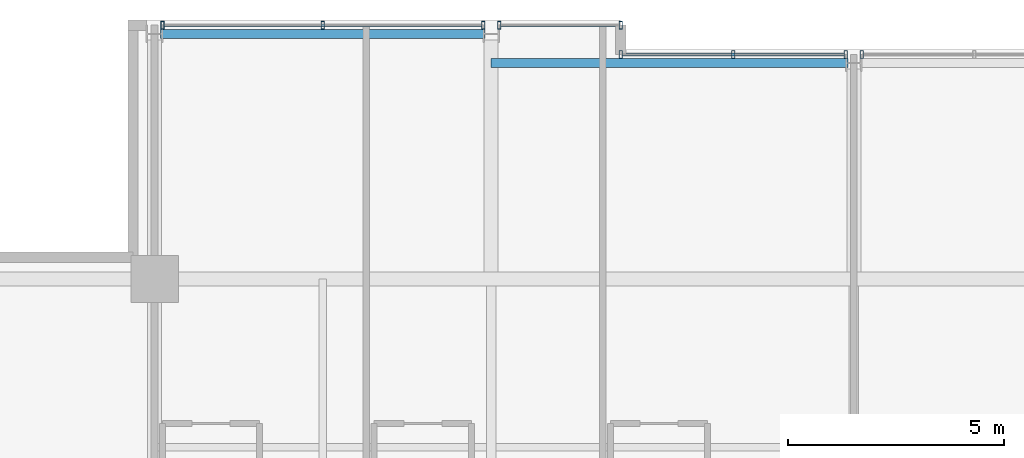
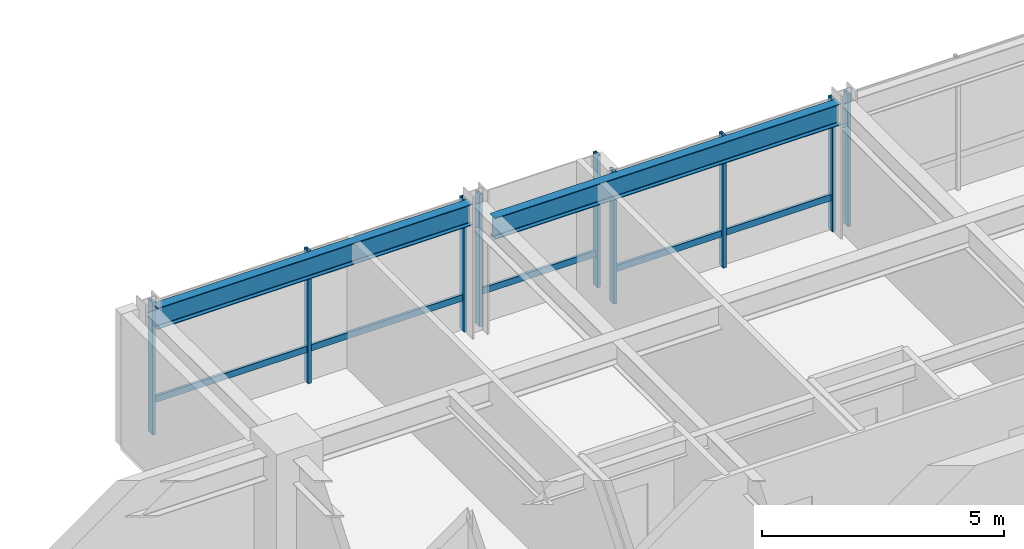
# One storey, part 21 of 34: 12 members, 2 beams, 4 elements without a shape of their own.
"""IFC4 building model written with IfcOpenShell, lengths in metres."""

from ifc_helpers import new_model, si_unit, direction, frame, origin, origin_2d, place, context, subcontext, project, spatial, hollow_rectangle, i_section, extrude, material, layer, layer_set, material_profile, profile_set, type_object, element, aggregate, save


model = new_model("IFC4")

# Units and contexts
model_context = context("Model", 3, precision=1e-05, world=origin(), true_north=direction((0.0, 1.0)))
body_context = subcontext(model_context, "Body", "Model", "MODEL_VIEW")
ifc_project = project(units=[si_unit("LENGTHUNIT", "METRE"), si_unit("AREAUNIT", "SQUARE_METRE"), si_unit("VOLUMEUNIT", "CUBIC_METRE"), si_unit("PLANEANGLEUNIT", "RADIAN"), si_unit("MASSUNIT", "GRAM", prefix="KILO")], contexts=[model_context])

# Site, building, storey
site_placement = place(None, origin())
site = spatial("IfcSite", under=ifc_project, at=site_placement, CompositionType="ELEMENT")
building_placement = place(site_placement, origin())
building = spatial("IfcBuilding", under=site, at=building_placement, Name="Drelvath Grand Hotel", CompositionType="ELEMENT")
storey_placement = place(building_placement, frame((0.0, 0.0, 208.699951171875)))
storey = spatial("IfcBuildingStorey", under=building, at=storey_placement, Name="L54", CompositionType="ELEMENT", Elevation=208.699951171875)

# Curtain wall, member
ifc_material_1 = material(Name="Platinum-Mist Anodised Aluminium Frame", Category="aluminium")
ifc_layer = layer(ifc_material_1, 0.199951171875)
ifc_layer_set = layer_set([ifc_layer], Name="Platinum-Mist Anodised Aluminium Frame")
curtain_wall_type = type_object("IfcCurtainWallType", Name="Stick Curtain Wall CW-05 Platinum Mist High-Rise", PredefinedType="NOTDEFINED", material=ifc_layer_set)
curtain_wall_1_placement = place(storey_placement, origin())
curtain_wall_1 = element("IfcCurtainWall", 1, at=curtain_wall_1_placement, inside=storey, type_object=curtain_wall_type, Name="L54 CW-05 Curtain Wall CW05-L54-NW2", PredefinedType="NOTDEFINED")
ifc_material_profile_1 = material_profile(ifc_material_1, hollow_rectangle(XDim=0.06494140625, YDim=0.159912109375, WallThickness=0.00390625, at=origin_2d()), Name="HSS160X65X4")
ifc_profile_set_1 = profile_set([ifc_material_profile_1], Name="Platinum-Mist Anodised Aluminium Frame")
member_type_1 = type_object("IfcMemberType", Name="Curtain Wall Horizontal Transom CW-05 HSS160X65X4", PredefinedType="USERDEFINED", material=ifc_profile_set_1)
member_1_placement = place(storey_placement, frame((-15.974609375, 49.080078125, 0.8349609375), z_axis=(1.0, 0.0, 0.0), x_axis=(0.0, 1.0, 0.0)))
member_1 = element("IfcMember", 2, at=member_1_placement, type_object=member_type_1, Name="CW05-L54-NW2 Sill Transom", ObjectType="TRANSOM", PredefinedType="USERDEFINED", context=body_context, shape_type="SweptSolid", body=[
    extrude(hollow_rectangle(XDim=0.06494140625, YDim=0.159912109375, WallThickness=0.00390625, at=origin_2d()), origin(), (0.0, 0.0, 1.0), 7.349365234375),
])

curtain_wall_2_placement = place(storey_placement, origin())
curtain_wall_2 = element("IfcCurtainWall", 3, at=curtain_wall_2_placement, inside=storey, type_object=curtain_wall_type, Name="L54 CW-05 Curtain Wall CW05-L54-NW3", PredefinedType="NOTDEFINED")
member_2_placement = place(storey_placement, frame((-8.1748046875, 49.080078125, 0.8349609375), z_axis=(1.0, 0.0, 0.0), x_axis=(0.0, 1.0, 0.0)))
member_2 = element("IfcMember", 4, at=member_2_placement, type_object=member_type_1, Name="CW05-L54-NW3 Sill Transom", ObjectType="TRANSOM", PredefinedType="USERDEFINED", context=body_context, shape_type="SweptSolid", body=[
    extrude(hollow_rectangle(XDim=0.06494140625, YDim=0.159912109375, WallThickness=0.00390625, at=origin_2d()), origin(), (0.0, 0.0, 1.0), 2.73486328125),
])

curtain_wall_3_placement = place(storey_placement, origin())
curtain_wall_3 = element("IfcCurtainWall", 5, at=curtain_wall_3_placement, inside=storey, type_object=curtain_wall_type, Name="L54 CW-05 Curtain Wall CW05-L54-NM1", PredefinedType="NOTDEFINED")
member_3_placement = place(storey_placement, frame((-5.360107421875, 48.39990234375, 0.8349609375), z_axis=(1.0, 0.0, 0.0), x_axis=(0.0, 1.0, 0.0)))
member_3 = element("IfcMember", 6, at=member_3_placement, type_object=member_type_1, Name="CW05-L54-NM1 Sill Transom", ObjectType="TRANSOM", PredefinedType="USERDEFINED", context=body_context, shape_type="SweptSolid", body=[
    extrude(hollow_rectangle(XDim=0.06494140625, YDim=0.159912109375, WallThickness=0.00390625, at=origin_2d()), origin(), (0.0, 0.0, 1.0), 5.134765625),
])

# Member
ifc_material_profile_2 = material_profile(ifc_material_1, hollow_rectangle(XDim=0.074951171875, YDim=0.179931640625, WallThickness=0.0048828125, at=origin_2d()), Name="HSS180X75X5")
ifc_profile_set_2 = profile_set([ifc_material_profile_2], Name="Platinum-Mist Anodised Aluminium Frame")
member_type_2 = type_object("IfcMemberType", Name="Curtain Wall Vertical Mullion CW-05 HSS180X75X5", PredefinedType="MULLION", material=ifc_profile_set_2)
member_4_placement = place(storey_placement, frame((-16.0146484375, 49.080078125, 0.0), z_axis=(0.0, 0.0, 1.0), x_axis=(1.0, 0.0, 0.0)))
member_4 = element("IfcMember", 7, at=member_4_placement, type_object=member_type_2, Name="CW05-L54-NW2 Mullion 1", PredefinedType="MULLION", context=body_context, shape_type="SweptSolid", body=[
    extrude(hollow_rectangle(XDim=0.074951171875, YDim=0.179931640625, WallThickness=0.0048828125, at=origin_2d()), origin(), (0.0, 0.0, 1.0), 3.340087890625),
])

member_5_placement = place(storey_placement, frame((-12.300048828125, 49.080078125, 0.0), z_axis=(0.0, 0.0, 1.0), x_axis=(1.0, 0.0, 0.0)))
member_5 = element("IfcMember", 8, at=member_5_placement, type_object=member_type_2, Name="CW05-L54-NW2 Mullion 2", PredefinedType="MULLION", context=body_context, shape_type="SweptSolid", body=[
    extrude(hollow_rectangle(XDim=0.074951171875, YDim=0.179931640625, WallThickness=0.0048828125, at=origin_2d()), origin(), (0.0, 0.0, 1.0), 3.340087890625),
])

member_6_placement = place(storey_placement, frame((-8.585205078125, 49.080078125, 0.0), z_axis=(0.0, 0.0, 1.0), x_axis=(1.0, 0.0, 0.0)))
member_6 = element("IfcMember", 9, at=member_6_placement, type_object=member_type_2, Name="CW05-L54-NW2 Mullion 3", PredefinedType="MULLION", context=body_context, shape_type="SweptSolid", body=[
    extrude(hollow_rectangle(XDim=0.074951171875, YDim=0.179931640625, WallThickness=0.0048828125, at=origin_2d()), origin(), (0.0, 0.0, 1.0), 3.340087890625),
])

aggregate(curtain_wall_1, [member_4, member_5, member_6, member_1])

member_7_placement = place(storey_placement, frame((-8.214599609375, 49.080078125, 0.0), z_axis=(0.0, 0.0, 1.0), x_axis=(1.0, 0.0, 0.0)))
member_7 = element("IfcMember", 10, at=member_7_placement, type_object=member_type_2, Name="CW05-L54-NW3 Mullion 1", PredefinedType="MULLION", context=body_context, shape_type="SweptSolid", body=[
    extrude(hollow_rectangle(XDim=0.074951171875, YDim=0.179931640625, WallThickness=0.0048828125, at=origin_2d()), origin(), (0.0, 0.0, 1.0), 3.340087890625),
])

member_8_placement = place(storey_placement, frame((-5.39990234375, 49.080078125, 0.0), z_axis=(0.0, 0.0, 1.0), x_axis=(1.0, 0.0, 0.0)))
member_8 = element("IfcMember", 11, at=member_8_placement, type_object=member_type_2, Name="CW05-L54-NW3 Mullion 2", PredefinedType="MULLION", context=body_context, shape_type="SweptSolid", body=[
    extrude(hollow_rectangle(XDim=0.074951171875, YDim=0.179931640625, WallThickness=0.0048828125, at=origin_2d()), origin(), (0.0, 0.0, 1.0), 3.340087890625),
])

aggregate(curtain_wall_2, [member_7, member_8, member_2])

member_9_placement = place(storey_placement, frame((-5.39990234375, 48.39990234375, 0.0), z_axis=(0.0, 0.0, 1.0), x_axis=(1.0, 0.0, 0.0)))
member_9 = element("IfcMember", 12, at=member_9_placement, type_object=member_type_2, Name="CW05-L54-NM1 Mullion 1", PredefinedType="MULLION", context=body_context, shape_type="SweptSolid", body=[
    extrude(hollow_rectangle(XDim=0.074951171875, YDim=0.179931640625, WallThickness=0.0048828125, at=origin_2d()), origin(), (0.0, 0.0, 1.0), 3.340087890625),
])

member_10_placement = place(storey_placement, frame((-2.792724609375, 48.39990234375, 0.0), z_axis=(0.0, 0.0, 1.0), x_axis=(1.0, 0.0, 0.0)))
member_10 = element("IfcMember", 13, at=member_10_placement, type_object=member_type_2, Name="CW05-L54-NM1 Mullion 2", PredefinedType="MULLION", context=body_context, shape_type="SweptSolid", body=[
    extrude(hollow_rectangle(XDim=0.074951171875, YDim=0.179931640625, WallThickness=0.0048828125, at=origin_2d()), origin(), (0.0, 0.0, 1.0), 3.340087890625),
])

member_11_placement = place(storey_placement, frame((-0.185302734375, 48.39990234375, 0.0), z_axis=(0.0, 0.0, 1.0), x_axis=(1.0, 0.0, 0.0)))
member_11 = element("IfcMember", 14, at=member_11_placement, type_object=member_type_2, Name="CW05-L54-NM1 Mullion 3", PredefinedType="MULLION", context=body_context, shape_type="SweptSolid", body=[
    extrude(hollow_rectangle(XDim=0.074951171875, YDim=0.179931640625, WallThickness=0.0048828125, at=origin_2d()), origin(), (0.0, 0.0, 1.0), 3.340087890625),
])

aggregate(curtain_wall_3, [member_9, member_10, member_11, member_3])

# Curtain wall, member
curtain_wall_4_placement = place(storey_placement, origin())
curtain_wall_4 = element("IfcCurtainWall", 15, at=curtain_wall_4_placement, inside=storey, type_object=curtain_wall_type, Name="L54 CW-05 Curtain Wall CW05-L54-NM2", PredefinedType="NOTDEFINED")
member_12_placement = place(storey_placement, frame((0.185302734375, 48.39990234375, 0.0), z_axis=(0.0, 0.0, 1.0), x_axis=(1.0, 0.0, 0.0)))
member_12 = element("IfcMember", 16, at=member_12_placement, type_object=member_type_2, Name="CW05-L54-NM2 Mullion 1", PredefinedType="MULLION", context=body_context, shape_type="SweptSolid", body=[
    extrude(hollow_rectangle(XDim=0.074951171875, YDim=0.179931640625, WallThickness=0.0048828125, at=origin_2d()), origin(), (0.0, 0.0, 1.0), 3.340087890625),
])
aggregate(curtain_wall_4, [member_12])

# Beams
ifc_material_2 = material(Name="Steel ASTM A992 Gr 50", Category="steel")
ifc_material_profile_3 = material_profile(ifc_material_2, i_section(OverallWidth=0.210205078125, OverallDepth=0.53662109375, WebThickness=0.010986328125, FlangeThickness=0.017333984375, FilletRadius=0.01806640625, at=origin_2d()), Name="W21X68")
ifc_profile_set_3 = profile_set([ifc_material_profile_3], Name="Steel ASTM A992 Gr 50")
beam_type = type_object("IfcBeamType", Name="Perimeter Spandrel Beam W21X68", PredefinedType="SPANDREL", material=ifc_profile_set_3)
beam_1_placement = place(storey_placement, frame((-16.06005859375, 48.8798828125, 3.071533203125), z_axis=(1.0, 0.0, 0.0), x_axis=(0.0, 1.0, 0.0)))
element("IfcBeam", 17, at=beam_1_placement, inside=storey, type_object=beam_type, Name="L54 Spandrel North W", PredefinedType="SPANDREL", context=body_context, shape_type="SweptSolid", body=[
    extrude(i_section(OverallWidth=0.210205078125, OverallDepth=0.53662109375, WebThickness=0.010986328125, FlangeThickness=0.017333984375, FilletRadius=0.01806640625, at=origin_2d()), origin(), (0.0, 0.0, 1.0), 7.52001953125),
])
beam_2_placement = place(storey_placement, frame((-8.39990234375, 48.199951171875, 3.071533203125), z_axis=(1.0, 0.0, 0.0), x_axis=(0.0, 1.0, 0.0)))
element("IfcBeam", 18, at=beam_2_placement, inside=storey, type_object=beam_type, Name="L54 Spandrel North Mid W", PredefinedType="SPANDREL", context=body_context, shape_type="SweptSolid", body=[
    extrude(i_section(OverallWidth=0.210205078125, OverallDepth=0.53662109375, WebThickness=0.010986328125, FlangeThickness=0.017333984375, FilletRadius=0.01806640625, at=origin_2d()), origin(), (0.0, 0.0, 1.0), 8.260009765625),
])

save(model, "model.ifc")
